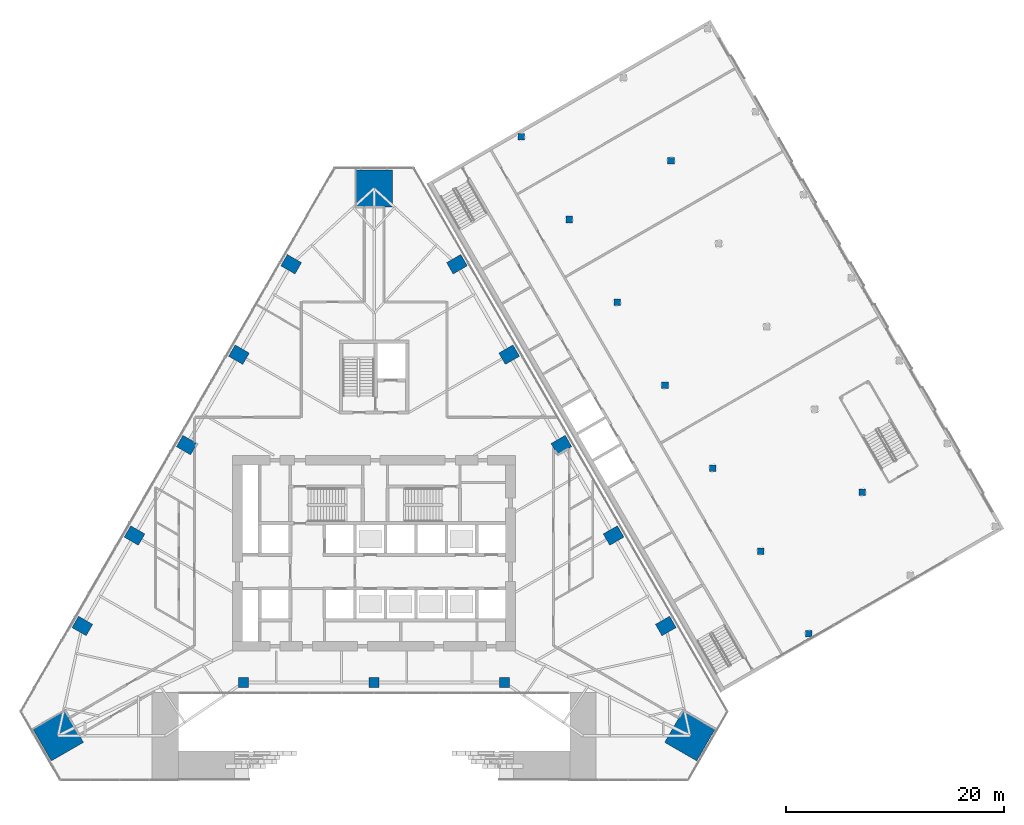
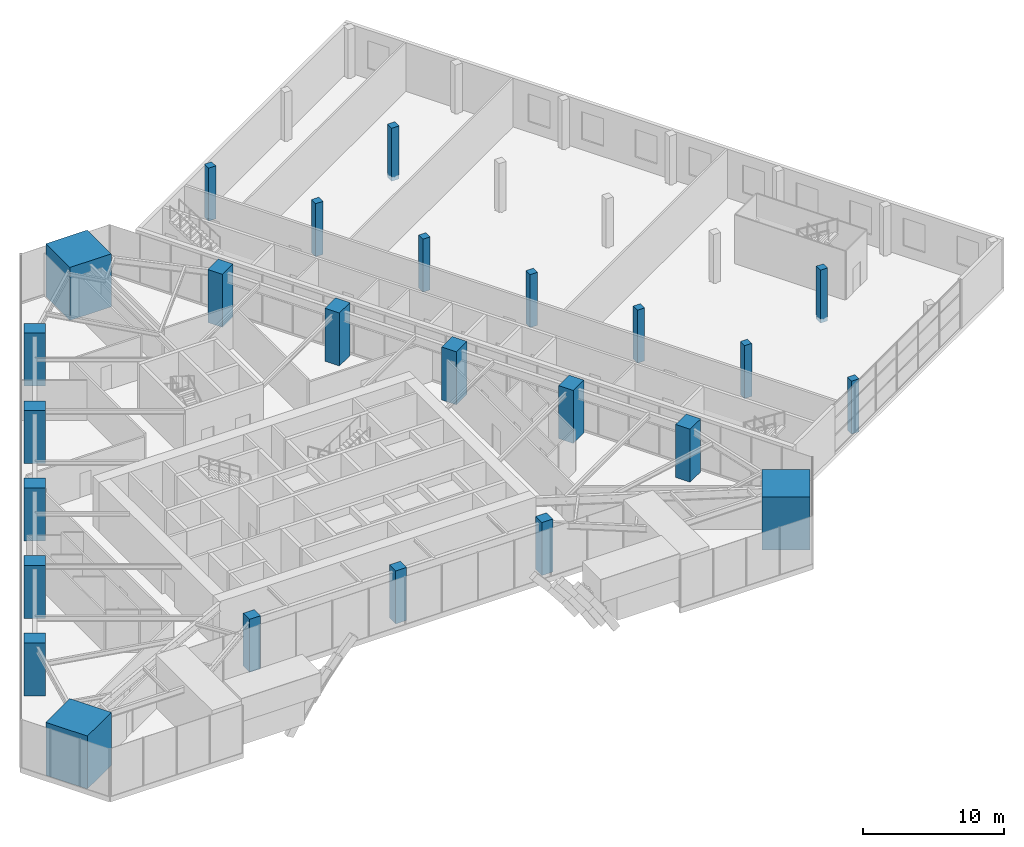
# One storey, part 1 of 29: 25 columns.
"""IFC4 building model written with IfcOpenShell, lengths in metres."""

from ifc_helpers import new_model, si_unit, direction, frame, origin, origin_2d, place, context, subcontext, project, spatial, rectangle, extrude, material, material_profile, profile_set, type_object, element, save


model = new_model("IFC4")

# Units and contexts
model_context = context("Model", 3, precision=1e-05, world=origin(), true_north=direction((0.0, 1.0)))
body_context = subcontext(model_context, "Body", "Model", "MODEL_VIEW")
ifc_project = project(units=[si_unit("LENGTHUNIT", "METRE"), si_unit("AREAUNIT", "SQUARE_METRE"), si_unit("VOLUMEUNIT", "CUBIC_METRE"), si_unit("PLANEANGLEUNIT", "RADIAN"), si_unit("MASSUNIT", "GRAM", prefix="KILO")], contexts=[model_context])

# Site, building, storey
site_placement = place(None, origin())
site = spatial("IfcSite", under=ifc_project, at=site_placement, CompositionType="ELEMENT")
building_placement = place(site_placement, origin())
building = spatial("IfcBuilding", under=site, at=building_placement, Name="Firuza Gate Tower and Library", CompositionType="ELEMENT")
storey_placement = place(building_placement, frame((0.0, 0.0, 17.199951171875)))
storey = spatial("IfcBuildingStorey", under=building, at=storey_placement, Name="L03", CompositionType="ELEMENT", Elevation=17.199951171875)

# Columns
ifc_material_1 = material(Name="Concrete C60/75", Category="concrete")
ifc_material_profile_1 = material_profile(ifc_material_1, rectangle(XDim=0.89990234375, YDim=0.89990234375, at=origin_2d()))
ifc_profile_set_1 = profile_set([ifc_material_profile_1], Name="Concrete C60/75")
column_type_1 = type_object("IfcColumnType", Name="Basement column 900x900 C60/75", PredefinedType="COLUMN", material=ifc_profile_set_1)
for number, where, z_axis, x_axis, name in (
    (1, (63.0, 63.115478515625, 0.0), (0.0, 0.0, 1.0), (1.0, 0.0, 0.0), "Column L03 bc1"),
    (2, (75.0, 63.115478515625, 0.0), (0.0, 0.0, 1.0), (1.0, 0.0, 0.0), "Column L03 bc2"),
    (3, (87.0, 63.115478515625, 0.0), (0.0, 0.0, 1.0), (1.0, 0.0, 0.0), "Column L03 bc3"),
):
    element("IfcColumn", number, at=place(storey_placement, frame(where, z_axis=z_axis, x_axis=x_axis)), inside=storey, type_object=column_type_1, Name=name, PredefinedType="COLUMN", context=body_context, shape_type="SweptSolid", body=[
        extrude(rectangle(XDim=0.89990234375, YDim=0.89990234375, at=origin_2d()), origin(), (0.0, 0.0, 1.0), 4.60009765625),
    ])
ifc_material_2 = material(Name="Concrete C40/50", Category="concrete")
ifc_material_profile_2 = material_profile(ifc_material_2, rectangle(XDim=0.60009765625, YDim=0.60009765625, at=origin_2d()))
ifc_profile_set_2 = profile_set([ifc_material_profile_2], Name="Concrete C40/50")
column_type_2 = type_object("IfcColumnType", Name="LIB COLUMN 600", PredefinedType="COLUMN", material=ifc_profile_set_2)
for number, where, z_axis, x_axis, name in (
    (4, (114.947021484375, 67.5791015625, -0.35986328125), (0.0, 0.0, 1.0), (1.0, 0.0, 0.0), "Library column 1A"),
    (5, (110.546875, 75.2001953125, -0.35986328125), (0.0, 0.0, 1.0), (1.0, 0.0, 0.0), "Library column 2A"),
    (6, (119.89990234375, 80.600341796875, -0.35986328125), (0.0, 0.0, 1.0), (1.0, 0.0, 0.0), "Library column 2B"),
    (7, (106.14697265625, 82.8212890625, -0.35986328125), (0.0, 0.0, 1.0), (1.0, 0.0, 0.0), "Library column 3A"),
    (8, (101.746826171875, 90.4423828125, -0.35986328125), (0.0, 0.0, 1.0), (1.0, 0.0, 0.0), "Library column 4A"),
    (9, (97.346923828125, 98.063232421875, -0.35986328125), (0.0, 0.0, 1.0), (1.0, 0.0, 0.0), "Library column 5A"),
    (10, (92.947021484375, 105.684326171875, -0.35986328125), (0.0, 0.0, 1.0), (1.0, 0.0, 0.0), "Library column 6A"),
    (11, (102.2998046875, 111.08447265625, -0.35986328125), (0.0, 0.0, 1.0), (1.0, 0.0, 0.0), "Library column 6B"),
    (12, (88.546875, 113.305419921875, -0.35986328125), (0.0, 0.0, 1.0), (1.0, 0.0, 0.0), "Library column 7A"),
):
    element("IfcColumn", number, at=place(storey_placement, frame(where, z_axis=z_axis, x_axis=x_axis)), inside=storey, type_object=column_type_2, Name=name, PredefinedType="COLUMN", context=body_context, shape_type="SweptSolid", body=[
        extrude(rectangle(XDim=0.60009765625, YDim=0.60009765625, at=origin_2d()), origin(), (0.0, 0.0, 1.0), 4.599853515625),
    ])
ifc_material_3 = material(Name="Concrete C80/95", Category="concrete")
ifc_material_profile_3 = material_profile(ifc_material_3, rectangle(XDim=3.39990234375, YDim=3.39990234375, at=origin_2d()))
ifc_profile_set_3 = profile_set([ifc_material_profile_3], Name="Concrete C80/95")
column_type_3 = type_object("IfcColumnType", Name="Mega column 3400x3400 C80/95", PredefinedType="COLUMN", material=ifc_profile_set_3)
for number, where, z_axis, x_axis, name in (
    (13, (104.041259765625, 58.233154296875, 0.0), (0.0, 0.0, 1.0), (0.5, 0.866025403784, 0.0), "Mega column SE L03"),
    (14, (75.0, 108.533935546875, 0.0), (0.0, 0.0, 1.0), (-1.0, 0.0, 0.0), "Mega column N L03"),
    (15, (45.958740234375, 58.233154296875, 0.0), (0.0, 0.0, 1.0), (0.5, -0.866025403784, 0.0), "Mega column SW L03"),
):
    element("IfcColumn", number, at=place(storey_placement, frame(where, z_axis=z_axis, x_axis=x_axis)), inside=storey, type_object=column_type_3, Name=name, PredefinedType="COLUMN", context=body_context, shape_type="SweptSolid", body=[
        extrude(rectangle(XDim=3.39990234375, YDim=3.39990234375, at=origin_2d()), origin(), (0.0, 0.0, 1.0), 4.60009765625),
    ])
ifc_material_4 = material(Name="Concrete C60/75", Category="concrete")
ifc_material_profile_4 = material_profile(ifc_material_4, rectangle(XDim=1.199951171875, YDim=1.5, at=origin_2d()))
ifc_profile_set_4 = profile_set([ifc_material_profile_4], Name="Concrete C60/75")
column_type_4 = type_object("IfcColumnType", Name="Perimeter column 1200x1500 C60/75", PredefinedType="COLUMN", material=ifc_profile_set_4)
for number, where, z_axis, x_axis, name in (
    (16, (101.820556640625, 68.314697265625, -0.000244140625), (0.0, 0.0, 1.0), (-0.5, 0.866025403784, 0.0), "Column E1 L03"),
    (17, (97.0205078125, 76.62841796875, -0.000244140625), (0.0, 0.0, 1.0), (-0.5, 0.866025403784, 0.0), "Column E2 L03"),
    (18, (92.220458984375, 84.9423828125, -0.000244140625), (0.0, 0.0, 1.0), (-0.5, 0.866025403784, 0.0), "Column E3 L03"),
    (19, (87.420654296875, 93.256103515625, -0.000244140625), (0.0, 0.0, 1.0), (-0.5, 0.866025403784, 0.0), "Column E4 L03"),
    (20, (82.62060546875, 101.570068359375, -0.000244140625), (0.0, 0.0, 1.0), (-0.5, 0.866025403784, 0.0), "Column E5 L03"),
    (21, (67.37939453125, 101.570068359375, -0.000244140625), (0.0, 0.0, 1.0), (-0.5, -0.866025403784, 0.0), "Column W1 L03"),
    (22, (62.579345703125, 93.256103515625, -0.000244140625), (0.0, 0.0, 1.0), (-0.5, -0.866025403784, 0.0), "Column W2 L03"),
    (23, (57.779541015625, 84.9423828125, -0.000244140625), (0.0, 0.0, 1.0), (-0.5, -0.866025403784, 0.0), "Column W3 L03"),
    (24, (52.9794921875, 76.62841796875, -0.000244140625), (0.0, 0.0, 1.0), (-0.5, -0.866025403784, 0.0), "Column W4 L03"),
    (25, (48.179443359375, 68.314697265625, -0.000244140625), (0.0, 0.0, 1.0), (-0.5, -0.866025403784, 0.0), "Column W5 L03"),
):
    element("IfcColumn", number, at=place(storey_placement, frame(where, z_axis=z_axis, x_axis=x_axis)), inside=storey, type_object=column_type_4, Name=name, PredefinedType="COLUMN", context=body_context, shape_type="SweptSolid", body=[
        extrude(rectangle(XDim=1.199951171875, YDim=1.5, at=origin_2d()), origin(), (0.0, 0.0, 1.0), 4.600341796875),
    ])

save(model, "model.ifc")
